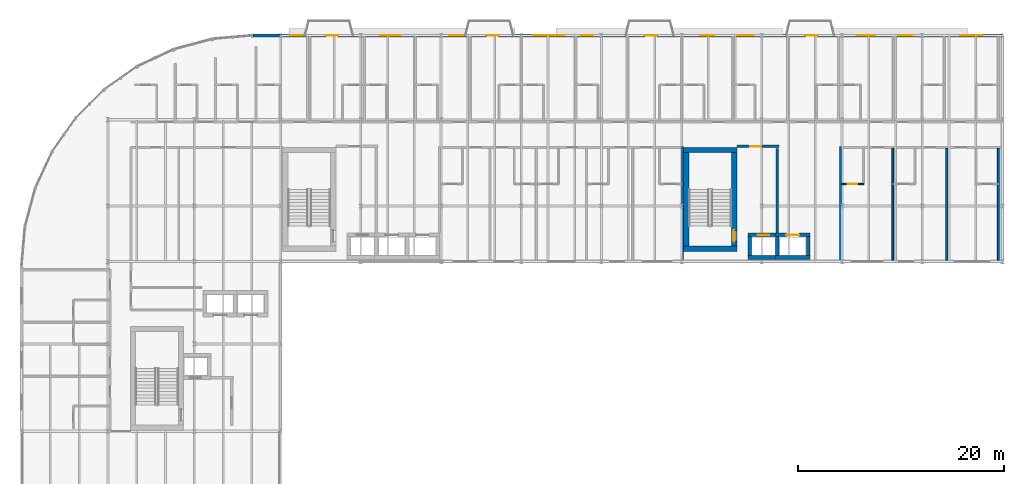
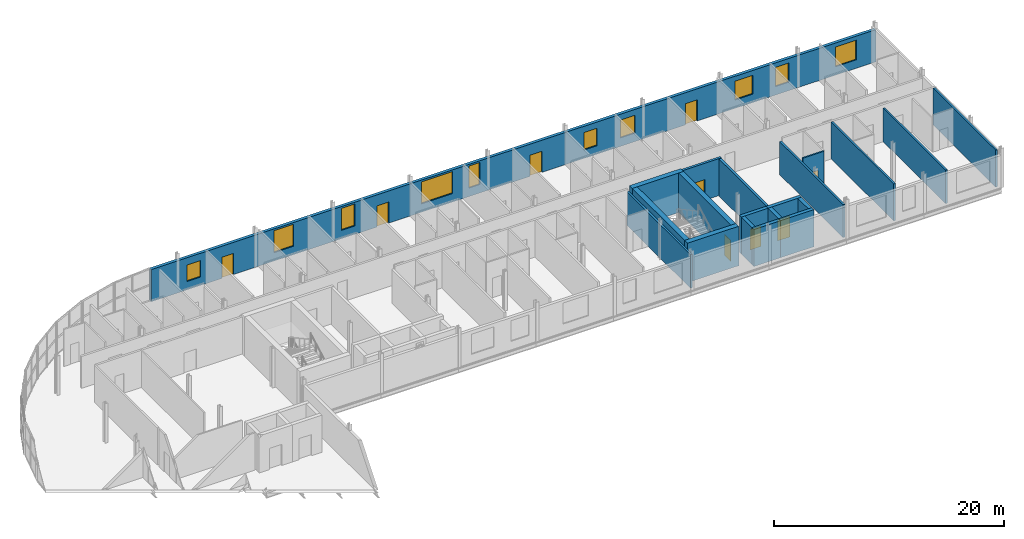
# One storey, part 16 of 22: 20 walls, 10 windows, 9 doors, 19 openings.
"""IFC4 building model written with IfcOpenShell, lengths in metres."""

from ifc_helpers import new_model, si_unit, direction, frame, frame_2d, origin, place, context, subcontext, project, spatial, rectangle, extrude, material, layer, layer_set, type_object, element, fill, save


model = new_model("IFC4")

# Units and contexts
model_context = context("Model", 3, precision=1e-05, world=origin(), true_north=direction((0.0, 1.0)))
body_context = subcontext(model_context, "Body", "Model", "MODEL_VIEW")
ifc_project = project(units=[si_unit("LENGTHUNIT", "METRE"), si_unit("AREAUNIT", "SQUARE_METRE"), si_unit("VOLUMEUNIT", "CUBIC_METRE"), si_unit("PLANEANGLEUNIT", "RADIAN"), si_unit("MASSUNIT", "GRAM", prefix="KILO")], contexts=[model_context])

# Site, building, storey
site_placement = place(None, origin())
site = spatial("IfcSite", under=ifc_project, at=site_placement, CompositionType="ELEMENT")
building_placement = place(site_placement, origin())
building = spatial("IfcBuilding", under=site, at=building_placement, Name="Sefraquen Railside Congress Hotel", CompositionType="ELEMENT")
storey_placement = place(building_placement, frame((0.0, 0.0, 42.60009765625)))
storey = spatial("IfcBuildingStorey", under=building, at=storey_placement, Name="L10", CompositionType="ELEMENT", Elevation=42.60009765625)

# Wall, opening, door
ifc_material_1 = material(Name="Concrete C50/60", Category="concrete")
ifc_layer_1 = layer(ifc_material_1, 0.35009765625)
ifc_layer_set_1 = layer_set([ifc_layer_1], Name="Concrete C50/60")
wall_type_1 = type_object("IfcWallType", Name="TW-CW-350", PredefinedType="SHEAR", material=ifc_layer_set_1)
wall_1_placement = place(storey_placement, frame((70.639892578125, 98.594970703125, 0.0), z_axis=(0.0, 0.0, 1.0), x_axis=(1.0, 0.0, 0.0)))
wall_1 = element("IfcWall", 1, at=wall_1_placement, inside=storey, type_object=wall_type_1, Name="Lift FL-03 shaft wall N L10", PredefinedType="SHEAR", context=body_context, shape_type="SweptSolid", body=[
    extrude(rectangle(XDim=2.690185546875, YDim=0.35009765625, at=frame_2d((1.34521484375, 0.0))), origin(), (0.0, 0.0, 1.0), 3.93994140625),
])
opening_1_placement = place(wall_1_placement, frame((0.969970703125, 0.0, 0.0)))
opening_1 = element("IfcOpeningElement", 2, at=opening_1_placement, cuts=wall_1, Name="Opening LD-01", PredefinedType="OPENING", context=body_context, shape_type="SweptSolid", body=[
    extrude(rectangle(XDim=1.10009765625, YDim=2.199951171875, at=frame_2d((0.550048828125, 1.10009765625))), frame((0.0, 0.18505859375, 0.0), z_axis=(0.0, -1.0, 0.0), x_axis=(1.0, 0.0, 0.0)), (0.0, 0.0, 1.0), 0.3701171875),
])
ifc_material_2 = material(Name="Brushed bronze stainless steel", Category="steel")
door_type_1 = type_object("IfcDoorType", Name="TD-LD-01", OperationType="NOTDEFINED", PredefinedType="DOOR", material=ifc_material_2)
door_1_placement = place(opening_1_placement, origin())
door_1 = element("IfcDoor", 3, at=door_1_placement, inside=storey, type_object=door_type_1, Name="Lift landing door FL-03 L10", OperationType="SLIDING_TO_LEFT", OverallHeight=2.199951171875, OverallWidth=1.10009765625, PredefinedType="DOOR", context=body_context, shape_type="SweptSolid", body=[
    extrude(rectangle(XDim=1.10009765625, YDim=2.199951171875, at=frame_2d((0.550048828125, 1.10009765625))), frame((0.0, 0.02490234375, 0.0), z_axis=(0.0, -1.0, 0.0), x_axis=(1.0, 0.0, 0.0)), (0.0, 0.0, 1.0), 0.050048828125),
])
fill(opening_1, door_1)

# Walls
wall_2_placement = place(storey_placement, frame((70.639892578125, 96.405029296875, 0.0), z_axis=(0.0, 0.0, 1.0), x_axis=(1.0, 0.0, 0.0)))
element("IfcWall", 4, at=wall_2_placement, inside=storey, type_object=wall_type_1, Name="Lift FL-03 shaft wall S L10", PredefinedType="SHEAR", context=body_context, shape_type="SweptSolid", body=[
    extrude(rectangle(XDim=2.690185546875, YDim=0.35009765625, at=frame_2d((1.34521484375, 0.0))), origin(), (0.0, 0.0, 1.0), 3.93994140625),
])
wall_3_placement = place(storey_placement, frame((70.81494140625, 96.580078125, 0.0), z_axis=(0.0, 0.0, 1.0), x_axis=(0.0, 1.0, 0.0)))
element("IfcWall", 5, at=wall_3_placement, inside=storey, type_object=wall_type_1, Name="Lift FL-03 shaft wall W L10", PredefinedType="SHEAR", context=body_context, shape_type="SweptSolid", body=[
    extrude(rectangle(XDim=1.83984375, YDim=0.35009765625, at=frame_2d((0.919921875, 0.0))), origin(), (0.0, 0.0, 1.0), 3.93994140625),
])

# Wall, opening, door
wall_4_placement = place(storey_placement, frame((73.330078125, 98.594970703125, 0.0), z_axis=(0.0, 0.0, 1.0), x_axis=(1.0, 0.0, 0.0)))
wall_4 = element("IfcWall", 6, at=wall_4_placement, inside=storey, type_object=wall_type_1, Name="Lift PL-05 shaft wall N L10", PredefinedType="SHEAR", context=body_context, shape_type="SweptSolid", body=[
    extrude(rectangle(XDim=3.33984375, YDim=0.35009765625, at=frame_2d((1.669921875, 0.0))), origin(), (0.0, 0.0, 1.0), 3.93994140625),
])
opening_2_placement = place(wall_4_placement, frame((1.044921875, 0.0, 0.0)))
opening_2 = element("IfcOpeningElement", 7, at=opening_2_placement, cuts=wall_4, Name="Opening LD-02", PredefinedType="OPENING", context=body_context, shape_type="SweptSolid", body=[
    extrude(rectangle(XDim=1.25, YDim=2.25, at=frame_2d((0.625, 1.125))), frame((0.0, 0.18505859375, 0.0), z_axis=(0.0, -1.0, 0.0), x_axis=(1.0, 0.0, 0.0)), (0.0, 0.0, 1.0), 0.3701171875),
])
ifc_material_3 = material(Name="Brushed stainless steel", Category="steel")
door_type_2 = type_object("IfcDoorType", Name="TD-LD-02", OperationType="NOTDEFINED", PredefinedType="DOOR", material=ifc_material_3)
door_2_placement = place(opening_2_placement, origin())
door_2 = element("IfcDoor", 8, at=door_2_placement, inside=storey, type_object=door_type_2, Name="Lift landing door PL-05 L10", OperationType="SLIDING_TO_LEFT", OverallHeight=2.25, OverallWidth=1.25, PredefinedType="DOOR", context=body_context, shape_type="SweptSolid", body=[
    extrude(rectangle(XDim=1.25, YDim=2.25, at=frame_2d((0.625, 1.125))), frame((0.0, 0.02490234375, 0.0), z_axis=(0.0, -1.0, 0.0), x_axis=(1.0, 0.0, 0.0)), (0.0, 0.0, 1.0), 0.050048828125),
])
fill(opening_2, door_2)

# Walls
wall_5_placement = place(storey_placement, frame((73.330078125, 96.405029296875, 0.0), z_axis=(0.0, 0.0, 1.0), x_axis=(1.0, 0.0, 0.0)))
element("IfcWall", 9, at=wall_5_placement, inside=storey, type_object=wall_type_1, Name="Lift PL-05 shaft wall S L10", PredefinedType="SHEAR", context=body_context, shape_type="SweptSolid", body=[
    extrude(rectangle(XDim=3.33984375, YDim=0.35009765625, at=frame_2d((1.669921875, 0.0))), origin(), (0.0, 0.0, 1.0), 3.93994140625),
])
for number, where, z_axis, x_axis, name in (
    (10, (73.5048828125, 96.580078125, 0.0), (0.0, 0.0, 1.0), (0.0, 1.0, 0.0), "Lift PL-05 shaft wall W L10"),
    (11, (76.4951171875, 96.580078125, 0.0), (0.0, 0.0, 1.0), (0.0, 1.0, 0.0), "Lift PL-05 shaft wall E L10"),
):
    element("IfcWall", number, at=place(storey_placement, frame(where, z_axis=z_axis, x_axis=x_axis)), inside=storey, type_object=wall_type_1, Name=name, PredefinedType="SHEAR", context=body_context, shape_type="SweptSolid", body=[
        extrude(rectangle(XDim=1.83984375, YDim=0.35009765625, at=frame_2d((0.919921875, 0.0))), origin(), (0.0, 0.0, 1.0), 3.93994140625),
    ])
ifc_layer_2 = layer(ifc_material_1, 0.5)
ifc_layer_set_2 = layer_set([ifc_layer_2], Name="Concrete C50/60")
wall_type_2 = type_object("IfcWallType", Name="TW-CW-500", PredefinedType="SHEAR", material=ifc_layer_set_2)
for number, where, z_axis, x_axis, name in (
    (12, (64.39990234375, 106.862060546875, 0.0), (0.0, 0.0, 1.0), (1.0, 0.0, 0.0), "Core shear wall ST-H03 N L10"),
    (13, (64.39990234375, 97.25, 0.0), (0.0, 0.0, 1.0), (1.0, 0.0, 0.0), "Core shear wall ST-H03 S L10"),
):
    element("IfcWall", number, at=place(storey_placement, frame(where, z_axis=z_axis, x_axis=x_axis)), inside=storey, type_object=wall_type_2, Name=name, PredefinedType="SHEAR", context=body_context, shape_type="SweptSolid", body=[
        extrude(rectangle(XDim=5.16015625, YDim=0.5, at=frame_2d((2.580078125, 0.0))), origin(), (0.0, 0.0, 1.0), 4.199951171875),
    ])
wall_6_placement = place(storey_placement, frame((64.64990234375, 97.5, 0.0), z_axis=(0.0, 0.0, 1.0), x_axis=(0.0, 1.0, 0.0)))
element("IfcWall", 14, at=wall_6_placement, inside=storey, type_object=wall_type_2, Name="Core shear wall ST-H03 W L10", PredefinedType="SHEAR", context=body_context, shape_type="SweptSolid", body=[
    extrude(rectangle(XDim=9.112060546875, YDim=0.5, at=frame_2d((4.55615234375, 0.0))), origin(), (0.0, 0.0, 1.0), 4.199951171875),
])

# Wall, opening, door
wall_7_placement = place(storey_placement, frame((69.31005859375, 97.5, 0.0), z_axis=(0.0, 0.0, 1.0), x_axis=(0.0, 1.0, 0.0)))
wall_7 = element("IfcWall", 15, at=wall_7_placement, inside=storey, type_object=wall_type_2, Name="Core shear wall ST-H03 E L10", PredefinedType="SHEAR", context=body_context, shape_type="SweptSolid", body=[
    extrude(rectangle(XDim=9.112060546875, YDim=0.5, at=frame_2d((4.55615234375, 0.0))), origin(), (0.0, 0.0, 1.0), 4.199951171875),
])
opening_3_placement = place(wall_7_placement, frame((0.43994140625, 0.0, 0.0)))
opening_3 = element("IfcOpeningElement", 16, at=opening_3_placement, cuts=wall_7, Name="Opening FD-04", PredefinedType="OPENING", context=body_context, shape_type="SweptSolid", body=[
    extrude(rectangle(XDim=1.10009765625, YDim=2.199951171875, at=frame_2d((0.550048828125, 1.10009765625))), frame((0.0, 0.260009765625, 0.0), z_axis=(0.0, -1.0, 0.0), x_axis=(1.0, 0.0, 0.0)), (0.0, 0.0, 1.0), 0.52001953125),
])
ifc_material_4 = material(Name="Fire-rated steel", Category="steel")
door_type_3 = type_object("IfcDoorType", Name="TD-FD-04", OperationType="NOTDEFINED", PredefinedType="DOOR", material=ifc_material_4)
door_3_placement = place(opening_3_placement, origin())
door_3 = element("IfcDoor", 17, at=door_3_placement, inside=storey, type_object=door_type_3, Name="Pressurized stair ST-H03 fire door L10", OperationType="SINGLE_SWING_RIGHT", OverallHeight=2.199951171875, OverallWidth=1.10009765625, PredefinedType="DOOR", context=body_context, shape_type="SweptSolid", body=[
    extrude(rectangle(XDim=1.10009765625, YDim=2.199951171875, at=frame_2d((0.550048828125, 1.10009765625))), frame((0.0, 0.02490234375, 0.0), z_axis=(0.0, -1.0, 0.0), x_axis=(1.0, 0.0, 0.0)), (0.0, 0.0, 1.0), 0.050048828125),
])
fill(opening_3, door_3)

# Wall, openings, doors, windows
ifc_material_5 = material(Name="Ochre Rabat calcarenite limestone and Concrete C40/50 backing", Category="masonry")
ifc_layer_3 = layer(ifc_material_5, 0.300048828125)
ifc_layer_set_3 = layer_set([ifc_layer_3], Name="Ochre Rabat calcarenite limestone and Concrete C40/50 backing")
wall_type_3 = type_object("IfcWallType", Name="TW-EW-300", PredefinedType="STANDARD", material=ifc_layer_set_3)
wall_8_placement = place(storey_placement, frame((22.5, 118.0, 0.0), z_axis=(0.0, 0.0, 1.0), x_axis=(1.0, 0.0, 0.0)))
wall_8 = element("IfcWall", 18, at=wall_8_placement, inside=storey, type_object=wall_type_3, Name="Hotel L10 North Boulevard limestone facade wall", PredefinedType="STANDARD", context=body_context, shape_type="SweptSolid", body=[
    extrude(rectangle(XDim=72.89990234375, YDim=0.300048828125, at=frame_2d((36.449951171875, 0.0))), origin(), (0.0, 0.0, 1.0), 3.419921875),
])
opening_4_placement = place(wall_8_placement, frame((3.611083984375, 0.0, 0.89990234375)))
opening_4 = element("IfcOpeningElement", 19, at=opening_4_placement, cuts=wall_8, Name="Opening WN-24", PredefinedType="OPENING", context=body_context, shape_type="SweptSolid", body=[
    extrude(rectangle(XDim=1.35009765625, YDim=1.75, at=frame_2d((0.675048828125, 0.875))), frame((0.0, 0.159912109375, 0.0), z_axis=(0.0, -1.0, 0.0), x_axis=(1.0, 0.0, 0.0)), (0.0, 0.0, 1.0), 0.320068359375),
])
opening_5_placement = place(wall_8_placement, frame((7.091064453125, 0.0, 0.0)))
opening_5 = element("IfcOpeningElement", 20, at=opening_5_placement, cuts=wall_8, Name="Opening BD-01", PredefinedType="OPENING", context=body_context, shape_type="SweptSolid", body=[
    extrude(rectangle(XDim=1.199951171875, YDim=2.25, at=frame_2d((0.60009765625, 1.125))), frame((0.0, 0.159912109375, 0.0), z_axis=(0.0, -1.0, 0.0), x_axis=(1.0, 0.0, 0.0)), (0.0, 0.0, 1.0), 0.320068359375),
])
opening_6_placement = place(wall_8_placement, frame((12.327880859375, 0.0, 0.89990234375)))
opening_6 = element("IfcOpeningElement", 21, at=opening_6_placement, cuts=wall_8, Name="Opening WN-26", PredefinedType="OPENING", context=body_context, shape_type="SweptSolid", body=[
    extrude(rectangle(XDim=2.0, YDim=2.340087890625, at=frame_2d((1.0, 1.169921875))), frame((0.0, 0.159912109375, 0.0), z_axis=(0.0, -1.0, 0.0), x_axis=(1.0, 0.0, 0.0)), (0.0, 0.0, 1.0), 0.320068359375),
])
opening_7_placement = place(wall_8_placement, frame((19.1201171875, 0.0, 0.89990234375)))
opening_7 = element("IfcOpeningElement", 22, at=opening_7_placement, cuts=wall_8, Name="Opening WN-27", PredefinedType="OPENING", context=body_context, shape_type="SweptSolid", body=[
    extrude(rectangle(XDim=1.35009765625, YDim=2.340087890625, at=frame_2d((0.675048828125, 1.169921875))), frame((0.0, 0.159912109375, 0.0), z_axis=(0.0, -1.0, 0.0), x_axis=(1.0, 0.0, 0.0)), (0.0, 0.0, 1.0), 0.320068359375),
])
opening_8_placement = place(wall_8_placement, frame((22.696044921875, 0.0, 0.0)))
opening_8 = element("IfcOpeningElement", 23, at=opening_8_placement, cuts=wall_8, Name="Opening BD-01", PredefinedType="OPENING", context=body_context, shape_type="SweptSolid", body=[
    extrude(rectangle(XDim=1.199951171875, YDim=2.25, at=frame_2d((0.60009765625, 1.125))), frame((0.0, 0.159912109375, 0.0), z_axis=(0.0, -1.0, 0.0), x_axis=(1.0, 0.0, 0.0)), (0.0, 0.0, 1.0), 0.320068359375),
])
opening_9_placement = place(wall_8_placement, frame((27.205078125, 0.0, 0.89990234375)))
opening_9 = element("IfcOpeningElement", 24, at=opening_9_placement, cuts=wall_8, Name="Opening WN-29", PredefinedType="OPENING", context=body_context, shape_type="SweptSolid", body=[
    extrude(rectangle(XDim=3.10009765625, YDim=2.340087890625, at=frame_2d((1.550048828125, 1.169921875))), frame((0.0, 0.159912109375, 0.0), z_axis=(0.0, -1.0, 0.0), x_axis=(1.0, 0.0, 0.0)), (0.0, 0.0, 1.0), 0.320068359375),
])
opening_10_placement = place(wall_8_placement, frame((31.947998046875, 0.0, 0.89990234375)))
opening_10 = element("IfcOpeningElement", 25, at=opening_10_placement, cuts=wall_8, Name="Opening WN-30", PredefinedType="OPENING", context=body_context, shape_type="SweptSolid", body=[
    extrude(rectangle(XDim=1.10009765625, YDim=2.340087890625, at=frame_2d((0.550048828125, 1.169921875))), frame((0.0, 0.159912109375, 0.0), z_axis=(0.0, -1.0, 0.0), x_axis=(1.0, 0.0, 0.0)), (0.0, 0.0, 1.0), 0.320068359375),
])
opening_11_placement = place(wall_8_placement, frame((38.1201171875, 0.0, 0.0)))
opening_11 = element("IfcOpeningElement", 26, at=opening_11_placement, cuts=wall_8, Name="Opening BD-01", PredefinedType="OPENING", context=body_context, shape_type="SweptSolid", body=[
    extrude(rectangle(XDim=1.199951171875, YDim=2.25, at=frame_2d((0.60009765625, 1.125))), frame((0.0, 0.159912109375, 0.0), z_axis=(0.0, -1.0, 0.0), x_axis=(1.0, 0.0, 0.0)), (0.0, 0.0, 1.0), 0.320068359375),
])
opening_12_placement = place(wall_8_placement, frame((43.510009765625, 0.0, 0.89990234375)))
opening_12 = element("IfcOpeningElement", 27, at=opening_12_placement, cuts=wall_8, Name="Opening WN-02", PredefinedType="OPENING", context=body_context, shape_type="SweptSolid", body=[
    extrude(rectangle(XDim=1.35009765625, YDim=1.85009765625, at=frame_2d((0.675048828125, 0.925048828125))), frame((0.0, 0.159912109375, 0.0), z_axis=(0.0, -1.0, 0.0), x_axis=(1.0, 0.0, 0.0)), (0.0, 0.0, 1.0), 0.320068359375),
])
opening_13_placement = place(wall_8_placement, frame((47.177978515625, 0.0, 0.89990234375)))
opening_13 = element("IfcOpeningElement", 28, at=opening_13_placement, cuts=wall_8, Name="Opening WN-03", PredefinedType="OPENING", context=body_context, shape_type="SweptSolid", body=[
    extrude(rectangle(XDim=1.5, YDim=1.89990234375, at=frame_2d((0.75, 0.949951171875))), frame((0.0, 0.159912109375, 0.0), z_axis=(0.0, -1.0, 0.0), x_axis=(1.0, 0.0, 0.0)), (0.0, 0.0, 1.0), 0.320068359375),
])
opening_14_placement = place(wall_8_placement, frame((53.72412109375, 0.0, 0.0)))
opening_14 = element("IfcOpeningElement", 29, at=opening_14_placement, cuts=wall_8, Name="Opening BD-01", PredefinedType="OPENING", context=body_context, shape_type="SweptSolid", body=[
    extrude(rectangle(XDim=1.199951171875, YDim=2.25, at=frame_2d((0.60009765625, 1.125))), frame((0.0, 0.159912109375, 0.0), z_axis=(0.0, -1.0, 0.0), x_axis=(1.0, 0.0, 0.0)), (0.0, 0.0, 1.0), 0.320068359375),
])
opening_15_placement = place(wall_8_placement, frame((58.7119140625, 0.0, 0.89990234375)))
opening_15 = element("IfcOpeningElement", 30, at=opening_15_placement, cuts=wall_8, Name="Opening WN-05", PredefinedType="OPENING", context=body_context, shape_type="SweptSolid", body=[
    extrude(rectangle(XDim=1.800048828125, YDim=2.0, at=frame_2d((0.89990234375, 1.0))), frame((0.0, 0.159912109375, 0.0), z_axis=(0.0, -1.0, 0.0), x_axis=(1.0, 0.0, 0.0)), (0.0, 0.0, 1.0), 0.320068359375),
])
opening_16_placement = place(wall_8_placement, frame((62.781005859375, 0.0, 0.89990234375)))
opening_16 = element("IfcOpeningElement", 31, at=opening_16_placement, cuts=wall_8, Name="Opening WN-06", PredefinedType="OPENING", context=body_context, shape_type="SweptSolid", body=[
    extrude(rectangle(XDim=1.35009765625, YDim=2.050048828125, at=frame_2d((0.675048828125, 1.02490234375))), frame((0.0, 0.159912109375, 0.0), z_axis=(0.0, -1.0, 0.0), x_axis=(1.0, 0.0, 0.0)), (0.0, 0.0, 1.0), 0.320068359375),
])
opening_17_placement = place(wall_8_placement, frame((68.819091796875, 0.0, 0.89990234375)))
opening_17 = element("IfcOpeningElement", 32, at=opening_17_placement, cuts=wall_8, Name="Opening WN-07", PredefinedType="OPENING", context=body_context, shape_type="SweptSolid", body=[
    extrude(rectangle(XDim=2.10009765625, YDim=2.10009765625, at=frame_2d((1.050048828125, 1.050048828125))), frame((0.0, 0.159912109375, 0.0), z_axis=(0.0, -1.0, 0.0), x_axis=(1.0, 0.0, 0.0)), (0.0, 0.0, 1.0), 0.320068359375),
])
ifc_material_6 = material(Name="Bronze and low-E fire-rated glass", Category="glass")
door_type_4 = type_object("IfcDoorType", Name="TD-BD-01", OperationType="NOTDEFINED", PredefinedType="DOOR", material=ifc_material_6)
door_4_placement = place(opening_5_placement, origin())
door_4 = element("IfcDoor", 33, at=door_4_placement, inside=storey, type_object=door_type_4, Name="Guest balcony glazed door SP-L10-RM-002", OperationType="SINGLE_SWING_RIGHT", OverallHeight=2.25, OverallWidth=1.199951171875, PredefinedType="DOOR", context=body_context, shape_type="SweptSolid", body=[
    extrude(rectangle(XDim=1.199951171875, YDim=2.25, at=frame_2d((0.60009765625, 1.125))), frame((0.0, 0.02490234375, 0.0), z_axis=(0.0, -1.0, 0.0), x_axis=(1.0, 0.0, 0.0)), (0.0, 0.0, 1.0), 0.050048828125),
])
fill(opening_5, door_4)
door_5_placement = place(opening_8_placement, origin())
door_5 = element("IfcDoor", 34, at=door_5_placement, inside=storey, type_object=door_type_4, Name="Guest balcony glazed door SP-L10-RM-005", OperationType="SINGLE_SWING_LEFT", OverallHeight=2.25, OverallWidth=1.199951171875, PredefinedType="DOOR", context=body_context, shape_type="SweptSolid", body=[
    extrude(rectangle(XDim=1.199951171875, YDim=2.25, at=frame_2d((0.60009765625, 1.125))), frame((0.0, 0.02490234375, 0.0), z_axis=(0.0, -1.0, 0.0), x_axis=(1.0, 0.0, 0.0)), (0.0, 0.0, 1.0), 0.050048828125),
])
fill(opening_8, door_5)
door_6_placement = place(opening_11_placement, origin())
door_6 = element("IfcDoor", 35, at=door_6_placement, inside=storey, type_object=door_type_4, Name="Guest balcony glazed door SP-L10-RM-008", OperationType="SINGLE_SWING_RIGHT", OverallHeight=2.25, OverallWidth=1.199951171875, PredefinedType="DOOR", context=body_context, shape_type="SweptSolid", body=[
    extrude(rectangle(XDim=1.199951171875, YDim=2.25, at=frame_2d((0.60009765625, 1.125))), frame((0.0, 0.02490234375, 0.0), z_axis=(0.0, -1.0, 0.0), x_axis=(1.0, 0.0, 0.0)), (0.0, 0.0, 1.0), 0.050048828125),
])
fill(opening_11, door_6)
door_7_placement = place(opening_14_placement, origin())
door_7 = element("IfcDoor", 36, at=door_7_placement, inside=storey, type_object=door_type_4, Name="Guest balcony glazed door SP-L10-RM-011", OperationType="SINGLE_SWING_LEFT", OverallHeight=2.25, OverallWidth=1.199951171875, PredefinedType="DOOR", context=body_context, shape_type="SweptSolid", body=[
    extrude(rectangle(XDim=1.199951171875, YDim=2.25, at=frame_2d((0.60009765625, 1.125))), frame((0.0, 0.02490234375, 0.0), z_axis=(0.0, -1.0, 0.0), x_axis=(1.0, 0.0, 0.0)), (0.0, 0.0, 1.0), 0.050048828125),
])
fill(opening_14, door_7)
ifc_material_7 = material(Name="Solar-control low-E double glazing in bronze-anodised frame", Category="glass")
window_type_1 = type_object("IfcWindowType", Name="TWN-W-02", PartitioningType="DOUBLE_PANEL_VERTICAL", PredefinedType="WINDOW", material=ifc_material_7)
window_1_placement = place(opening_12_placement, origin())
window_1 = element("IfcWindow", 37, at=window_1_placement, inside=storey, type_object=window_type_1, Name="Guest room north window SP-L10-RM-009", OverallHeight=1.85009765625, OverallWidth=1.35009765625, PartitioningType="DOUBLE_PANEL_VERTICAL", PredefinedType="WINDOW", context=body_context, shape_type="SweptSolid", body=[
    extrude(rectangle(XDim=1.35009765625, YDim=1.85009765625, at=frame_2d((0.675048828125, 0.925048828125))), frame((0.0, 0.030029296875, 0.0), z_axis=(0.0, -1.0, 0.0), x_axis=(1.0, 0.0, 0.0)), (0.0, 0.0, 1.0), 0.06005859375),
])
fill(opening_12, window_1)
window_type_2 = type_object("IfcWindowType", Name="TWN-W-03", PartitioningType="DOUBLE_PANEL_VERTICAL", PredefinedType="WINDOW", material=ifc_material_7)
window_2_placement = place(opening_13_placement, origin())
window_2 = element("IfcWindow", 38, at=window_2_placement, inside=storey, type_object=window_type_2, Name="Guest room north window SP-L10-RM-010", OverallHeight=1.89990234375, OverallWidth=1.5, PartitioningType="DOUBLE_PANEL_VERTICAL", PredefinedType="WINDOW", context=body_context, shape_type="SweptSolid", body=[
    extrude(rectangle(XDim=1.5, YDim=1.89990234375, at=frame_2d((0.75, 0.949951171875))), frame((0.0, 0.030029296875, 0.0), z_axis=(0.0, -1.0, 0.0), x_axis=(1.0, 0.0, 0.0)), (0.0, 0.0, 1.0), 0.06005859375),
])
fill(opening_13, window_2)
window_type_3 = type_object("IfcWindowType", Name="TWN-W-05", PartitioningType="DOUBLE_PANEL_VERTICAL", PredefinedType="WINDOW", material=ifc_material_7)
window_3_placement = place(opening_15_placement, origin())
window_3 = element("IfcWindow", 39, at=window_3_placement, inside=storey, type_object=window_type_3, Name="Guest room north window SP-L10-RM-012", OverallHeight=2.0, OverallWidth=1.800048828125, PartitioningType="DOUBLE_PANEL_VERTICAL", PredefinedType="WINDOW", context=body_context, shape_type="SweptSolid", body=[
    extrude(rectangle(XDim=1.800048828125, YDim=2.0, at=frame_2d((0.89990234375, 1.0))), frame((0.0, 0.030029296875, 0.0), z_axis=(0.0, -1.0, 0.0), x_axis=(1.0, 0.0, 0.0)), (0.0, 0.0, 1.0), 0.06005859375),
])
fill(opening_15, window_3)
window_type_4 = type_object("IfcWindowType", Name="TWN-W-06", PartitioningType="DOUBLE_PANEL_VERTICAL", PredefinedType="WINDOW", material=ifc_material_7)
window_4_placement = place(opening_16_placement, origin())
window_4 = element("IfcWindow", 40, at=window_4_placement, inside=storey, type_object=window_type_4, Name="Guest room north window SP-L10-RM-013", OverallHeight=2.050048828125, OverallWidth=1.35009765625, PartitioningType="DOUBLE_PANEL_VERTICAL", PredefinedType="WINDOW", context=body_context, shape_type="SweptSolid", body=[
    extrude(rectangle(XDim=1.35009765625, YDim=2.050048828125, at=frame_2d((0.675048828125, 1.02490234375))), frame((0.0, 0.030029296875, 0.0), z_axis=(0.0, -1.0, 0.0), x_axis=(1.0, 0.0, 0.0)), (0.0, 0.0, 1.0), 0.06005859375),
])
fill(opening_16, window_4)
window_type_5 = type_object("IfcWindowType", Name="TWN-W-07", PartitioningType="DOUBLE_PANEL_VERTICAL", PredefinedType="WINDOW", material=ifc_material_7)
window_5_placement = place(opening_17_placement, origin())
window_5 = element("IfcWindow", 41, at=window_5_placement, inside=storey, type_object=window_type_5, Name="Guest room north window SP-L10-RM-014", OverallHeight=2.10009765625, OverallWidth=2.10009765625, PartitioningType="DOUBLE_PANEL_VERTICAL", PredefinedType="WINDOW", context=body_context, shape_type="SweptSolid", body=[
    extrude(rectangle(XDim=2.10009765625, YDim=2.10009765625, at=frame_2d((1.050048828125, 1.050048828125))), frame((0.0, 0.030029296875, 0.0), z_axis=(0.0, -1.0, 0.0), x_axis=(1.0, 0.0, 0.0)), (0.0, 0.0, 1.0), 0.06005859375),
])
fill(opening_17, window_5)
window_type_6 = type_object("IfcWindowType", Name="TWN-W-24", PartitioningType="DOUBLE_PANEL_VERTICAL", PredefinedType="WINDOW", material=ifc_material_7)
window_6_placement = place(opening_4_placement, origin())
window_6 = element("IfcWindow", 42, at=window_6_placement, inside=storey, type_object=window_type_6, Name="Guest room north window SP-L10-RM-001", OverallHeight=1.75, OverallWidth=1.35009765625, PartitioningType="DOUBLE_PANEL_VERTICAL", PredefinedType="WINDOW", context=body_context, shape_type="SweptSolid", body=[
    extrude(rectangle(XDim=1.35009765625, YDim=1.75, at=frame_2d((0.675048828125, 0.875))), frame((0.0, 0.030029296875, 0.0), z_axis=(0.0, -1.0, 0.0), x_axis=(1.0, 0.0, 0.0)), (0.0, 0.0, 1.0), 0.06005859375),
])
fill(opening_4, window_6)
window_type_7 = type_object("IfcWindowType", Name="TWN-W-26", PartitioningType="DOUBLE_PANEL_VERTICAL", PredefinedType="WINDOW", material=ifc_material_7)
window_7_placement = place(opening_6_placement, origin())
window_7 = element("IfcWindow", 43, at=window_7_placement, inside=storey, type_object=window_type_7, Name="Guest room north window SP-L10-RM-003", OverallHeight=2.340087890625, OverallWidth=2.0, PartitioningType="DOUBLE_PANEL_VERTICAL", PredefinedType="WINDOW", context=body_context, shape_type="SweptSolid", body=[
    extrude(rectangle(XDim=2.0, YDim=2.340087890625, at=frame_2d((1.0, 1.169921875))), frame((0.0, 0.030029296875, 0.0), z_axis=(0.0, -1.0, 0.0), x_axis=(1.0, 0.0, 0.0)), (0.0, 0.0, 1.0), 0.06005859375),
])
fill(opening_6, window_7)
window_type_8 = type_object("IfcWindowType", Name="TWN-W-27", PartitioningType="DOUBLE_PANEL_VERTICAL", PredefinedType="WINDOW", material=ifc_material_7)
window_8_placement = place(opening_7_placement, origin())
window_8 = element("IfcWindow", 44, at=window_8_placement, inside=storey, type_object=window_type_8, Name="Guest room north window SP-L10-RM-004", OverallHeight=2.340087890625, OverallWidth=1.35009765625, PartitioningType="DOUBLE_PANEL_VERTICAL", PredefinedType="WINDOW", context=body_context, shape_type="SweptSolid", body=[
    extrude(rectangle(XDim=1.35009765625, YDim=2.340087890625, at=frame_2d((0.675048828125, 1.169921875))), frame((0.0, 0.030029296875, 0.0), z_axis=(0.0, -1.0, 0.0), x_axis=(1.0, 0.0, 0.0)), (0.0, 0.0, 1.0), 0.06005859375),
])
fill(opening_7, window_8)
window_type_9 = type_object("IfcWindowType", Name="TWN-W-29", PartitioningType="DOUBLE_PANEL_VERTICAL", PredefinedType="WINDOW", material=ifc_material_7)
window_9_placement = place(opening_9_placement, origin())
window_9 = element("IfcWindow", 45, at=window_9_placement, inside=storey, type_object=window_type_9, Name="Guest room north window SP-L10-RM-006", OverallHeight=2.340087890625, OverallWidth=3.10009765625, PartitioningType="DOUBLE_PANEL_VERTICAL", PredefinedType="WINDOW", context=body_context, shape_type="SweptSolid", body=[
    extrude(rectangle(XDim=3.10009765625, YDim=2.340087890625, at=frame_2d((1.550048828125, 1.169921875))), frame((0.0, 0.030029296875, 0.0), z_axis=(0.0, -1.0, 0.0), x_axis=(1.0, 0.0, 0.0)), (0.0, 0.0, 1.0), 0.06005859375),
])
fill(opening_9, window_9)
window_type_10 = type_object("IfcWindowType", Name="TWN-W-30", PartitioningType="DOUBLE_PANEL_VERTICAL", PredefinedType="WINDOW", material=ifc_material_7)
window_10_placement = place(opening_10_placement, origin())
window_10 = element("IfcWindow", 46, at=window_10_placement, inside=storey, type_object=window_type_10, Name="Guest room north window SP-L10-RM-007", OverallHeight=2.340087890625, OverallWidth=1.10009765625, PartitioningType="DOUBLE_PANEL_VERTICAL", PredefinedType="WINDOW", context=body_context, shape_type="SweptSolid", body=[
    extrude(rectangle(XDim=1.10009765625, YDim=2.340087890625, at=frame_2d((0.550048828125, 1.169921875))), frame((0.0, 0.030029296875, 0.0), z_axis=(0.0, -1.0, 0.0), x_axis=(1.0, 0.0, 0.0)), (0.0, 0.0, 1.0), 0.06005859375),
])
fill(opening_10, window_10)

# Wall
ifc_material_8 = material(Name="Concrete C40/50", Category="concrete")
ifc_layer_4 = layer(ifc_material_8, 0.239990234375)
ifc_layer_set_4 = layer_set([ifc_layer_4], Name="Concrete C40/50")
wall_type_4 = type_object("IfcWallType", Name="TW-FW-240", PredefinedType="STANDARD", material=ifc_layer_set_4)
wall_9_placement = place(storey_placement, frame((73.47998046875, 98.780029296875, 0.0), z_axis=(0.0, 0.0, 1.0), x_axis=(0.0, 1.0, 0.0)))
element("IfcWall", 47, at=wall_9_placement, inside=storey, type_object=wall_type_4, Name="Firefighting Lift Lobby FFL-03 east fire wall L10", PredefinedType="STANDARD", context=body_context, shape_type="SweptSolid", body=[
    extrude(rectangle(XDim=8.239990234375, YDim=0.239990234375, at=frame_2d((4.1201171875, 0.0))), origin(), (0.0, 0.0, 1.0), 3.93994140625),
])

# Wall, opening, door
wall_10_placement = place(storey_placement, frame((69.56005859375, 107.199951171875, 0.0), z_axis=(0.0, 0.0, 1.0), x_axis=(1.0, 0.0, 0.0)))
wall_10 = element("IfcWall", 48, at=wall_10_placement, inside=storey, type_object=wall_type_4, Name="Firefighting Lift Lobby FFL-03 EI 120 separation wall L10", PredefinedType="STANDARD", context=body_context, shape_type="SweptSolid", body=[
    extrude(rectangle(XDim=4.099853515625, YDim=0.239990234375, at=frame_2d((2.0498046875, 0.0))), origin(), (0.0, 0.0, 1.0), 3.93994140625),
])
opening_18_placement = place(wall_10_placement, frame((1.300048828125, 0.0, 0.0)))
opening_18 = element("IfcOpeningElement", 49, at=opening_18_placement, cuts=wall_10, Name="Opening FD-04", PredefinedType="OPENING", context=body_context, shape_type="SweptSolid", body=[
    extrude(rectangle(XDim=1.10009765625, YDim=2.199951171875, at=frame_2d((0.550048828125, 1.10009765625))), frame((0.0, 0.1298828125, 0.0), z_axis=(0.0, -1.0, 0.0), x_axis=(1.0, 0.0, 0.0)), (0.0, 0.0, 1.0), 0.260009765625),
])
door_8_placement = place(opening_18_placement, origin())
door_8 = element("IfcDoor", 50, at=door_8_placement, inside=storey, type_object=door_type_3, Name="Firefighting Lift Lobby FFL-03 self-closing fire door L10", OperationType="SINGLE_SWING_RIGHT", OverallHeight=2.199951171875, OverallWidth=1.10009765625, PredefinedType="DOOR", context=body_context, shape_type="SweptSolid", body=[
    extrude(rectangle(XDim=1.10009765625, YDim=2.199951171875, at=frame_2d((0.550048828125, 1.10009765625))), frame((0.0, 0.02490234375, 0.0), z_axis=(0.0, -1.0, 0.0), x_axis=(1.0, 0.0, 0.0)), (0.0, 0.0, 1.0), 0.050048828125),
])
fill(opening_18, door_8)

ifc_material_9 = material(Name="Moisture-resistant gypsum board", Category="gypsum")
ifc_layer_5 = layer(ifc_material_9, 0.139892578125)
ifc_layer_set_5 = layer_set([ifc_layer_5], Name="Moisture-resistant gypsum board")
wall_type_5 = type_object("IfcWallType", Name="TW-PW-140", PredefinedType="PARTITIONING", material=ifc_layer_set_5)
wall_11_placement = place(storey_placement, frame((79.75, 103.550048828125, 0.0), z_axis=(0.0, 0.0, 1.0), x_axis=(1.0, 0.0, 0.0)))
wall_11 = element("IfcWall", 51, at=wall_11_placement, inside=storey, type_object=wall_type_5, Name="En-suite bathroom south wall RM-020", PredefinedType="PARTITIONING", context=body_context, shape_type="SweptSolid", body=[
    extrude(rectangle(XDim=2.14990234375, YDim=0.139892578125, at=frame_2d((1.074951171875, 0.0))), origin(), (0.0, 0.0, 1.0), 3.93994140625),
])
opening_19_placement = place(wall_11_placement, frame((0.625, 0.0, 0.0)))
opening_19 = element("IfcOpeningElement", 52, at=opening_19_placement, cuts=wall_11, Name="Opening ID-02", PredefinedType="OPENING", context=body_context, shape_type="SweptSolid", body=[
    extrude(rectangle(XDim=0.89990234375, YDim=2.10009765625, at=frame_2d((0.449951171875, 1.050048828125))), frame((0.0, 0.079833984375, 0.0), z_axis=(0.0, -1.0, 0.0), x_axis=(1.0, 0.0, 0.0)), (0.0, 0.0, 1.0), 0.159912109375),
])
ifc_material_10 = material(Name="Lacquered cedar joinery", Category="wood")
door_type_5 = type_object("IfcDoorType", Name="TD-ID-02", OperationType="NOTDEFINED", PredefinedType="DOOR", material=ifc_material_10)
door_9_placement = place(opening_19_placement, frame((0.89990234375, 0.0, 0.0), z_axis=(0.0, 0.0, 1.0), x_axis=(-1.0, 0.0, 0.0)))
door_9 = element("IfcDoor", 53, at=door_9_placement, inside=storey, type_object=door_type_5, Name="En-suite bathroom door RM-020", OperationType="SINGLE_SWING_LEFT", OverallHeight=2.10009765625, OverallWidth=0.89990234375, PredefinedType="DOOR", context=body_context, shape_type="SweptSolid", body=[
    extrude(rectangle(XDim=0.89990234375, YDim=2.10009765625, at=frame_2d((0.449951171875, 1.050048828125))), frame((0.0, 0.02490234375, 0.0), z_axis=(0.0, -1.0, 0.0), x_axis=(1.0, 0.0, 0.0)), (0.0, 0.0, 1.0), 0.050048828125),
])
fill(opening_19, door_9)

# Walls
ifc_material_11 = material(Name="Acoustic gypsum board on metal stud", Category="gypsum")
ifc_layer_6 = layer(ifc_material_11, 0.179931640625)
ifc_layer_set_6 = layer_set([ifc_layer_6], Name="Acoustic gypsum board on metal stud")
wall_type_6 = type_object("IfcWallType", Name="TW-PW-180", PredefinedType="PARTITIONING", material=ifc_layer_set_6)
wall_12_placement = place(storey_placement, frame((84.737060546875, 96.139892578125, 0.0), z_axis=(0.0, 0.0, 1.0), x_axis=(0.0, 1.0, 0.0)))
element("IfcWall", 54, at=wall_12_placement, inside=storey, type_object=wall_type_6, Name="South guest room demising wall RM-020", PredefinedType="PARTITIONING", context=body_context, shape_type="SweptSolid", body=[
    extrude(rectangle(XDim=10.880126953125, YDim=0.179931640625, at=frame_2d((5.43994140625, 0.0))), origin(), (0.0, 0.0, 1.0), 3.93994140625),
])
wall_13_placement = place(storey_placement, frame((89.965087890625, 96.139892578125, 0.0), z_axis=(0.0, 0.0, 1.0), x_axis=(0.0, 1.0, 0.0)))
element("IfcWall", 55, at=wall_13_placement, inside=storey, type_object=wall_type_6, Name="South guest room demising wall RM-021", PredefinedType="PARTITIONING", context=body_context, shape_type="SweptSolid", body=[
    extrude(rectangle(XDim=10.880126953125, YDim=0.179931640625, at=frame_2d((5.43994140625, 0.0))), origin(), (0.0, 0.0, 1.0), 3.56982421875),
])
wall_14_placement = place(storey_placement, frame((95.0, 96.139892578125, 0.0), z_axis=(0.0, 0.0, 1.0), x_axis=(0.0, 1.0, 0.0)))
element("IfcWall", 56, at=wall_14_placement, inside=storey, type_object=wall_type_6, Name="South guest room demising wall RM-022", PredefinedType="PARTITIONING", context=body_context, shape_type="SweptSolid", body=[
    extrude(rectangle(XDim=10.880126953125, YDim=0.179931640625, at=frame_2d((5.43994140625, 0.0))), origin(), (0.0, 0.0, 1.0), 3.93994140625),
])
ifc_layer_7 = layer(ifc_material_11, 0.199951171875)
ifc_layer_set_7 = layer_set([ifc_layer_7], Name="Acoustic gypsum board on metal stud")
wall_type_7 = type_object("IfcWallType", Name="TW-PW-200", PredefinedType="PARTITIONING", material=ifc_layer_set_7)
wall_15_placement = place(storey_placement, frame((64.300048828125, 96.139892578125, 0.0), z_axis=(0.0, 0.0, 1.0), x_axis=(0.0, 1.0, 0.0)))
element("IfcWall", 57, at=wall_15_placement, inside=storey, type_object=wall_type_7, Name="Hotel L10 south-mid east end fire-rated partition", PredefinedType="PARTITIONING", context=body_context, shape_type="SweptSolid", body=[
    extrude(rectangle(XDim=11.080078125, YDim=0.199951171875, at=frame_2d((5.5400390625, 0.0))), origin(), (0.0, 0.0, 1.0), 3.56982421875),
])
wall_16_placement = place(storey_placement, frame((79.659912109375, 96.139892578125, 0.0), z_axis=(0.0, 0.0, 1.0), x_axis=(0.0, 1.0, 0.0)))
element("IfcWall", 58, at=wall_16_placement, inside=storey, type_object=wall_type_7, Name="Hotel L10 south-east west end fire-rated partition", PredefinedType="PARTITIONING", context=body_context, shape_type="SweptSolid", body=[
    extrude(rectangle(XDim=11.080078125, YDim=0.199951171875, at=frame_2d((5.5400390625, 0.0))), origin(), (0.0, 0.0, 1.0), 3.510009765625),
])

save(model, "model.ifc")
